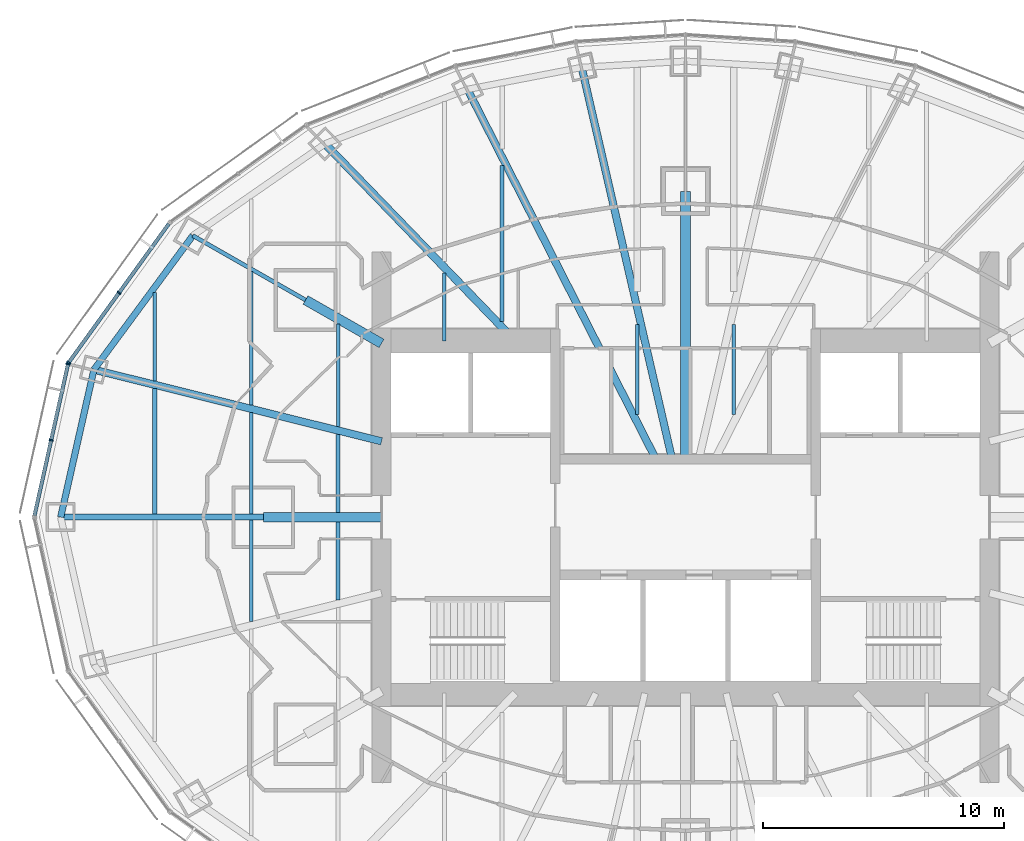
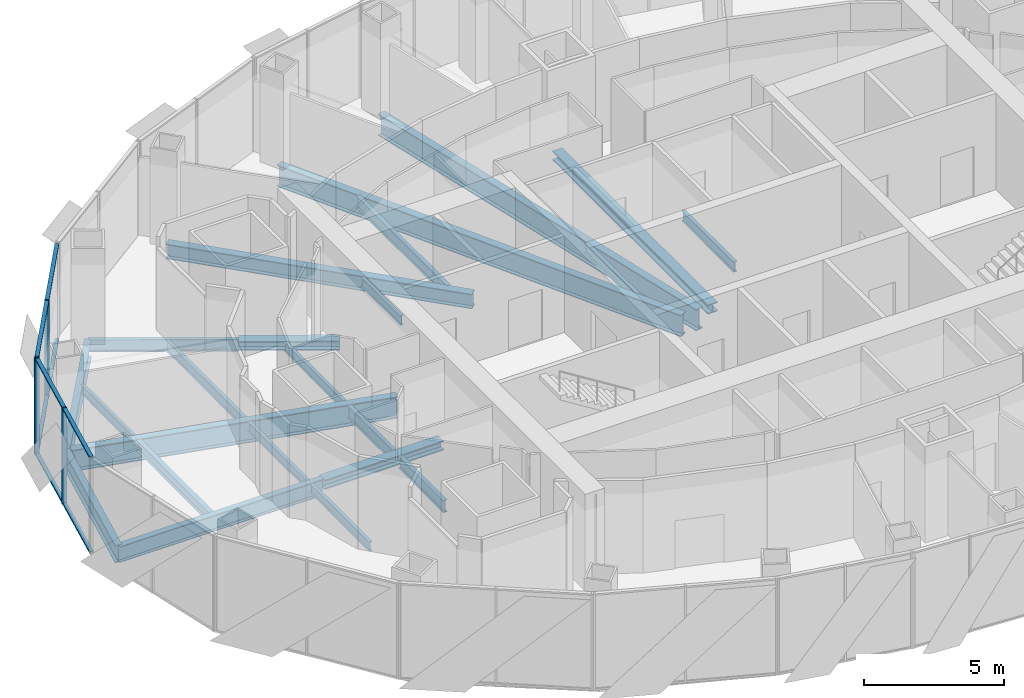
# One storey, part 4 of 19: 23 beams, 12 members, 2 elements without a shape of their own.
"""IFC4 building model written with IfcOpenShell, lengths in metres."""

from ifc_helpers import new_model, si_unit, direction, frame, origin, origin_2d, place, context, subcontext, project, spatial, rectangle, i_section, extrude, material, material_profile, profile_set, type_object, element, aggregate, save


model = new_model("IFC4")

# Units and contexts
model_context = context("Model", 3, precision=1e-05, world=origin(), true_north=direction((0.0, 1.0)))
body_context = subcontext(model_context, "Body", "Model", "MODEL_VIEW")
ifc_project = project(units=[si_unit("LENGTHUNIT", "METRE"), si_unit("AREAUNIT", "SQUARE_METRE"), si_unit("VOLUMEUNIT", "CUBIC_METRE"), si_unit("PLANEANGLEUNIT", "RADIAN"), si_unit("MASSUNIT", "GRAM", prefix="KILO")], contexts=[model_context])

# Site, building, storey
site_placement = place(None, origin())
site = spatial("IfcSite", under=ifc_project, at=site_placement, CompositionType="ELEMENT")
building_placement = place(site_placement, origin())
building = spatial("IfcBuilding", under=site, at=building_placement, Name="Lantaw Convention Tower", CompositionType="ELEMENT")
storey_placement = place(building_placement, frame((0.0, 0.0, 253.60009765625)))
storey = spatial("IfcBuildingStorey", under=building, at=storey_placement, Name="L59", CompositionType="ELEMENT", Elevation=253.60009765625)

# Beams
ifc_material_1 = material(Name="Steel ASTM A992", Category="steel")
ifc_material_profile_1 = material_profile(ifc_material_1, i_section(OverallWidth=0.2666015625, OverallDepth=0.76953125, WebThickness=0.015625, FlangeThickness=0.025390625, FilletRadius=0.0126953125, at=origin_2d()), Name="W30X132")
ifc_profile_set_1 = profile_set([ifc_material_profile_1], Name="Steel ASTM A992")
beam_type_1 = type_object("IfcBeamType", Name="Beam E W30X132", PredefinedType="SPANDREL", material=ifc_profile_set_1)
beam_1_placement = place(storey_placement, frame((-20.423095703125, 11.67041015625, -0.534912109375), z_axis=(-0.593639188853, -0.804731329984, 0.0), x_axis=(0.804731329984, -0.593639188853, 0.0)))
element("IfcBeam", 1, at=beam_1_placement, inside=storey, type_object=beam_type_1, Name="Edge beam 11", PredefinedType="SPANDREL", context=body_context, shape_type="SweptSolid", body=[
    extrude(i_section(OverallWidth=0.2666015625, OverallDepth=0.76953125, WebThickness=0.015625, FlangeThickness=0.025390625, FilletRadius=0.0126953125, at=origin_2d()), origin(), (0.0, 0.0, 1.0), 6.904541015625),
])
beam_2_placement = place(storey_placement, frame((-24.52197265625, 6.114013671875, -0.534912109375), z_axis=(-0.219857926596, -0.97553190215, 0.0), x_axis=(0.97553190215, -0.219857926596, 0.0)))
element("IfcBeam", 2, at=beam_2_placement, inside=storey, type_object=beam_type_1, Name="Edge beam 12", PredefinedType="SPANDREL", context=body_context, shape_type="SweptSolid", body=[
    extrude(i_section(OverallWidth=0.2666015625, OverallDepth=0.76953125, WebThickness=0.015625, FlangeThickness=0.025390625, FilletRadius=0.0126953125, at=origin_2d()), origin(), (0.0, 0.0, 1.0), 6.267333984375),
])
ifc_material_profile_2 = material_profile(ifc_material_1, i_section(OverallWidth=0.1650390625, OverallDepth=0.52587890625, WebThickness=0.0087890625, FlangeThickness=0.011474609375, FilletRadius=0.0126953125, at=origin_2d()), Name="W21X44")
ifc_profile_set_2 = profile_set([ifc_material_profile_2], Name="Steel ASTM A992")
beam_type_2 = type_object("IfcBeamType", Name="Beam G W21X44", PredefinedType="BEAM", material=ifc_profile_set_2)
beam_3_placement = place(storey_placement, frame((-15.75, 9.0, -0.4130859375), z_axis=(-0.868237559289, 0.496148708192, 0.0), x_axis=(-0.496148708192, -0.868237559289, 0.0)))
element("IfcBeam", 3, at=beam_3_placement, inside=storey, type_object=beam_type_2, Name="Floor girder on ray 11", PredefinedType="BEAM", context=body_context, shape_type="SweptSolid", body=[
    extrude(i_section(OverallWidth=0.1650390625, OverallDepth=0.52587890625, WebThickness=0.0087890625, FlangeThickness=0.011474609375, FilletRadius=0.0126953125, at=origin_2d()), origin(), (0.0, 0.0, 1.0), 5.38232421875),
])
ifc_material_profile_3 = material_profile(ifc_material_1, i_section(OverallWidth=0.32763671875, OverallDepth=0.64013671875, WebThickness=0.01904296875, FlangeThickness=0.033935546875, FilletRadius=0.0126953125, at=origin_2d()), Name="W24X176")
ifc_profile_set_3 = profile_set([ifc_material_profile_3], Name="Steel ASTM A992")
beam_type_3 = type_object("IfcBeamType", Name="Beam G W24X176", PredefinedType="BEAM", material=ifc_profile_set_3)
beam_4_placement = place(storey_placement, frame((-7.049560546875, 7.300048828125, -0.47021484375), z_axis=(-0.694657766726, 0.719340383356, 0.0), x_axis=(-0.719340383356, -0.694657766726, 0.0)))
element("IfcBeam", 4, at=beam_4_placement, inside=storey, type_object=beam_type_3, Name="Floor girder on ray 10", PredefinedType="BEAM", context=body_context, shape_type="SweptSolid", body=[
    extrude(i_section(OverallWidth=0.32763671875, OverallDepth=0.64013671875, WebThickness=0.01904296875, FlangeThickness=0.033935546875, FilletRadius=0.0126953125, at=origin_2d()), origin(), (0.0, 0.0, 1.0), 11.364990234375),
])
ifc_material_profile_4 = material_profile(ifc_material_1, i_section(OverallWidth=0.25390625, OverallDepth=0.700927734375, WebThickness=0.015380859375, FlangeThickness=0.02783203125, FilletRadius=0.01513671875, at=origin_2d()), Name="W27X129")
ifc_profile_set_4 = profile_set([ifc_material_profile_4], Name="Steel ASTM A992")
beam_type_4 = type_object("IfcBeamType", Name="Beam G W27X129", PredefinedType="BEAM", material=ifc_profile_set_4)
beam_5_placement = place(storey_placement, frame((-17.5, 0.0, -0.500732421875), z_axis=(-1.0, 0.0, 0.0), x_axis=(0.0, -1.0, 0.0)))
element("IfcBeam", 5, at=beam_5_placement, inside=storey, type_object=beam_type_4, Name="Floor girder on ray 13", PredefinedType="BEAM", context=body_context, shape_type="SweptSolid", body=[
    extrude(i_section(OverallWidth=0.25390625, OverallDepth=0.700927734375, WebThickness=0.015380859375, FlangeThickness=0.02783203125, FilletRadius=0.01513671875, at=origin_2d()), origin(), (0.0, 0.0, 1.0), 8.39990234375),
])
ifc_material_profile_5 = material_profile(ifc_material_1, i_section(OverallWidth=0.307373046875, OverallDepth=0.9423828125, WebThickness=0.022216796875, FlangeThickness=0.039794921875, FilletRadius=0.0126953125, at=origin_2d()), Name="W36X232")
ifc_profile_set_5 = profile_set([ifc_material_profile_5], Name="Steel ASTM A992")
beam_type_5 = type_object("IfcBeamType", Name="Beam G W36X232", PredefinedType="BEAM", material=ifc_profile_set_5)
beam_6_placement = place(storey_placement, frame((-0.55419921875, 2.39990234375, -0.621337890625), z_axis=(-0.224948287002, 0.974370703672, 0.0), x_axis=(-0.974370703672, -0.224948287002, 0.0)))
element("IfcBeam", 6, at=beam_6_placement, inside=storey, type_object=beam_type_5, Name="Floor girder on ray 8", PredefinedType="BEAM", context=body_context, shape_type="SweptSolid", body=[
    extrude(i_section(OverallWidth=0.307373046875, OverallDepth=0.9423828125, WebThickness=0.022216796875, FlangeThickness=0.039794921875, FilletRadius=0.0126953125, at=origin_2d()), origin(), (0.0, 0.0, 1.0), 16.66943359375),
])
beam_7_placement = place(storey_placement, frame((-1.222900390625, 2.39990234375, -0.621337890625), z_axis=(-0.453988481463, 0.891007552549, 0.0), x_axis=(-0.891007552549, -0.453988481463, 0.0)))
element("IfcBeam", 7, at=beam_7_placement, inside=storey, type_object=beam_type_5, Name="Floor girder on ray 9", PredefinedType="BEAM", context=body_context, shape_type="SweptSolid", body=[
    extrude(i_section(OverallWidth=0.307373046875, OverallDepth=0.9423828125, WebThickness=0.022216796875, FlangeThickness=0.039794921875, FilletRadius=0.0126953125, at=origin_2d()), origin(), (0.0, 0.0, 1.0), 17.20703125),
])
beam_8_placement = place(storey_placement, frame((-12.60009765625, 3.1416015625, -0.621337890625), z_axis=(-0.970296589314, 0.241918434119, 0.0), x_axis=(-0.241918434119, -0.970296589314, 0.0)))
element("IfcBeam", 8, at=beam_8_placement, inside=storey, type_object=beam_type_5, Name="Floor girder on ray 12", PredefinedType="BEAM", context=body_context, shape_type="SweptSolid", body=[
    extrude(i_section(OverallWidth=0.307373046875, OverallDepth=0.9423828125, WebThickness=0.022216796875, FlangeThickness=0.039794921875, FilletRadius=0.0126953125, at=origin_2d()), origin(), (0.0, 0.0, 1.0), 12.286865234375),
])
ifc_material_profile_6 = material_profile(ifc_material_1, i_section(OverallWidth=0.40380859375, OverallDepth=0.406494140625, WebThickness=0.027099609375, FlangeThickness=0.043701171875, FilletRadius=0.01513671875, at=origin_2d()), Name="W14X233")
ifc_profile_set_6 = profile_set([ifc_material_profile_6], Name="Steel ASTM A992")
beam_type_6 = type_object("IfcBeamType", Name="Beam GM W14X233", PredefinedType="BEAM", material=ifc_profile_set_6)
beam_9_placement = place(storey_placement, frame((0.0, 2.39990234375, -0.353271484375), z_axis=(0.0, 1.0, 0.0), x_axis=(-1.0, 0.0, 0.0)))
element("IfcBeam", 9, at=beam_9_placement, inside=storey, type_object=beam_type_6, Name="Core link beam on ray 7", PredefinedType="BEAM", context=body_context, shape_type="SweptSolid", body=[
    extrude(i_section(OverallWidth=0.40380859375, OverallDepth=0.406494140625, WebThickness=0.027099609375, FlangeThickness=0.043701171875, FilletRadius=0.01513671875, at=origin_2d()), origin(), (0.0, 0.0, 1.0), 11.10009765625),
])
beam_10_placement = place(storey_placement, frame((-12.60009765625, 7.199951171875, -0.353271484375), z_axis=(-0.868230718294, 0.496160679428, 0.0), x_axis=(-0.496160679428, -0.868230718294, 0.0)))
element("IfcBeam", 10, at=beam_10_placement, inside=storey, type_object=beam_type_6, Name="Core link beam on ray 11", PredefinedType="BEAM", context=body_context, shape_type="SweptSolid", body=[
    extrude(i_section(OverallWidth=0.40380859375, OverallDepth=0.406494140625, WebThickness=0.027099609375, FlangeThickness=0.043701171875, FilletRadius=0.01513671875, at=origin_2d()), origin(), (0.0, 0.0, 1.0), 3.6279296875),
])
beam_11_placement = place(storey_placement, frame((-12.60009765625, 0.0, -0.353271484375), z_axis=(-1.0, 0.0, 0.0), x_axis=(0.0, -1.0, 0.0)))
element("IfcBeam", 11, at=beam_11_placement, inside=storey, type_object=beam_type_6, Name="Core link beam on ray 13", PredefinedType="BEAM", context=body_context, shape_type="SweptSolid", body=[
    extrude(i_section(OverallWidth=0.40380859375, OverallDepth=0.406494140625, WebThickness=0.027099609375, FlangeThickness=0.043701171875, FilletRadius=0.01513671875, at=origin_2d()), origin(), (0.0, 0.0, 1.0), 4.89990234375),
])
ifc_material_profile_7 = material_profile(ifc_material_1, i_section(OverallWidth=0.140380859375, OverallDepth=0.40380859375, WebThickness=0.007080078125, FlangeThickness=0.01123046875, FilletRadius=0.01025390625, at=origin_2d()), Name="W16X31")
ifc_profile_set_7 = profile_set([ifc_material_profile_7], Name="Steel ASTM A992")
beam_type_7 = type_object("IfcBeamType", Name="Beam J W16X31", PredefinedType="JOIST", material=ifc_profile_set_7)
beam_12_placement = place(storey_placement, frame((-22.0, 5.6435546875, -0.35205078125), z_axis=(0.0, 1.0, 0.0), x_axis=(-1.0, 0.0, 0.0)))
element("IfcBeam", 12, at=beam_12_placement, inside=storey, type_object=beam_type_7, Name="Floor joist", PredefinedType="JOIST", context=body_context, shape_type="SweptSolid", body=[
    extrude(i_section(OverallWidth=0.140380859375, OverallDepth=0.40380859375, WebThickness=0.007080078125, FlangeThickness=0.01123046875, FilletRadius=0.01025390625, at=origin_2d()), origin(), (0.0, 0.0, 1.0), 3.66455078125),
])
for number, where, z_axis, x_axis, name in (
    (13, (-18.0, -4.32958984375, -0.35205078125), (0.0, 1.0, 0.0), (-1.0, 0.0, 0.0), "Floor joist"),
    (14, (-18.0, 0.126953125, -0.35205078125), (0.0, 1.0, 0.0), (-1.0, 0.0, 0.0), "Floor joist"),
):
    element("IfcBeam", number, at=place(storey_placement, frame(where, z_axis=z_axis, x_axis=x_axis)), inside=storey, type_object=beam_type_7, Name=name, PredefinedType="JOIST", context=body_context, shape_type="SweptSolid", body=[
        extrude(i_section(OverallWidth=0.140380859375, OverallDepth=0.40380859375, WebThickness=0.007080078125, FlangeThickness=0.01123046875, FilletRadius=0.01025390625, at=origin_2d()), origin(), (0.0, 0.0, 1.0), 4.20263671875),
    ])
beam_13_placement = place(storey_placement, frame((-14.39990234375, 3.748779296875, -0.35205078125), z_axis=(0.0, 1.0, 0.0), x_axis=(-1.0, 0.0, 0.0)))
element("IfcBeam", 15, at=beam_13_placement, inside=storey, type_object=beam_type_7, Name="Floor joist", PredefinedType="JOIST", context=body_context, shape_type="SweptSolid", body=[
    extrude(i_section(OverallWidth=0.140380859375, OverallDepth=0.40380859375, WebThickness=0.007080078125, FlangeThickness=0.01123046875, FilletRadius=0.01025390625, at=origin_2d()), origin(), (0.0, 0.0, 1.0), 4.247314453125),
])
beam_14_placement = place(storey_placement, frame((-10.0, 7.300048828125, -0.35205078125), z_axis=(0.0, 1.0, 0.0), x_axis=(-1.0, 0.0, 0.0)))
element("IfcBeam", 16, at=beam_14_placement, inside=storey, type_object=beam_type_7, Name="Floor joist", PredefinedType="JOIST", context=body_context, shape_type="SweptSolid", body=[
    extrude(i_section(OverallWidth=0.140380859375, OverallDepth=0.40380859375, WebThickness=0.007080078125, FlangeThickness=0.01123046875, FilletRadius=0.01025390625, at=origin_2d()), origin(), (0.0, 0.0, 1.0), 2.8193359375),
])
ifc_material_profile_8 = material_profile(ifc_material_1, i_section(OverallWidth=0.15234375, OverallDepth=0.449462890625, WebThickness=0.007568359375, FlangeThickness=0.0107421875, FilletRadius=0.01025390625, at=origin_2d()), Name="W18X35")
ifc_profile_set_8 = profile_set([ifc_material_profile_8], Name="Steel ASTM A992")
beam_type_8 = type_object("IfcBeamType", Name="Beam J W18X35", PredefinedType="JOIST", material=ifc_profile_set_8)
beam_15_placement = place(storey_placement, frame((-18.0, 4.646240234375, -0.375), z_axis=(0.0, 1.0, 0.0), x_axis=(-1.0, 0.0, 0.0)))
element("IfcBeam", 17, at=beam_15_placement, inside=storey, type_object=beam_type_8, Name="Floor joist", PredefinedType="JOIST", context=body_context, shape_type="SweptSolid", body=[
    extrude(i_section(OverallWidth=0.15234375, OverallDepth=0.449462890625, WebThickness=0.007568359375, FlangeThickness=0.0107421875, FilletRadius=0.01025390625, at=origin_2d()), origin(), (0.0, 0.0, 1.0), 5.54443359375),
])
for number, where, z_axis, x_axis, name in (
    (18, (-2.0, 4.263671875, -0.375), (0.0, 1.0, 0.0), (-1.0, 0.0, 0.0), "Floor joist"),
    (19, (2.0, 4.263671875, -0.375), (0.0, 1.0, 0.0), (-1.0, 0.0, 0.0), "Floor joist"),
):
    element("IfcBeam", number, at=place(storey_placement, frame(where, z_axis=z_axis, x_axis=x_axis)), inside=storey, type_object=beam_type_8, Name=name, PredefinedType="JOIST", context=body_context, shape_type="SweptSolid", body=[
        extrude(i_section(OverallWidth=0.15234375, OverallDepth=0.449462890625, WebThickness=0.007568359375, FlangeThickness=0.0107421875, FilletRadius=0.01025390625, at=origin_2d()), origin(), (0.0, 0.0, 1.0), 3.716064453125),
    ])
ifc_material_profile_9 = material_profile(ifc_material_1, i_section(OverallWidth=0.1904296875, OverallDepth=0.457275390625, WebThickness=0.009033203125, FlangeThickness=0.014404296875, FilletRadius=0.01025390625, at=origin_2d()), Name="W18X50")
ifc_profile_set_9 = profile_set([ifc_material_profile_9], Name="Steel ASTM A992")
beam_type_9 = type_object("IfcBeamType", Name="Beam J W18X50", PredefinedType="JOIST", material=ifc_profile_set_9)
beam_16_placement = place(storey_placement, frame((-22.0, 0.126953125, -0.378662109375), z_axis=(0.0, 1.0, 0.0), x_axis=(-1.0, 0.0, 0.0)))
element("IfcBeam", 20, at=beam_16_placement, inside=storey, type_object=beam_type_9, Name="Floor joist", PredefinedType="JOIST", context=body_context, shape_type="SweptSolid", body=[
    extrude(i_section(OverallWidth=0.1904296875, OverallDepth=0.457275390625, WebThickness=0.009033203125, FlangeThickness=0.014404296875, FilletRadius=0.01025390625, at=origin_2d()), origin(), (0.0, 0.0, 1.0), 5.199951171875),
])
ifc_material_profile_10 = material_profile(ifc_material_1, i_section(OverallWidth=0.1650390625, OverallDepth=0.52587890625, WebThickness=0.0087890625, FlangeThickness=0.011474609375, FilletRadius=0.0126953125, at=origin_2d()), Name="W21X44")
ifc_profile_set_10 = profile_set([ifc_material_profile_10], Name="Steel ASTM A992")
beam_type_10 = type_object("IfcBeamType", Name="Beam J W21X44", PredefinedType="JOIST", material=ifc_profile_set_10)
for number, where, z_axis, x_axis, name in (
    (21, (-14.39990234375, -3.431884765625, -0.4130859375), (0.0, 1.0, 0.0), (-1.0, 0.0, 0.0), "Floor joist"),
    (22, (-14.39990234375, 0.201904296875, -0.4130859375), (0.0, 1.0, 0.0), (-1.0, 0.0, 0.0), "Floor joist"),
):
    element("IfcBeam", number, at=place(storey_placement, frame(where, z_axis=z_axis, x_axis=x_axis)), inside=storey, type_object=beam_type_10, Name=name, PredefinedType="JOIST", context=body_context, shape_type="SweptSolid", body=[
        extrude(i_section(OverallWidth=0.1650390625, OverallDepth=0.52587890625, WebThickness=0.0087890625, FlangeThickness=0.011474609375, FilletRadius=0.0126953125, at=origin_2d()), origin(), (0.0, 0.0, 1.0), 3.22998046875),
    ])
beam_17_placement = place(storey_placement, frame((-7.60009765625, 8.10595703125, -0.4130859375), z_axis=(0.0, 1.0, 0.0), x_axis=(-1.0, 0.0, 0.0)))
element("IfcBeam", 23, at=beam_17_placement, inside=storey, type_object=beam_type_10, Name="Floor joist", PredefinedType="JOIST", context=body_context, shape_type="SweptSolid", body=[
    extrude(i_section(OverallWidth=0.1650390625, OverallDepth=0.52587890625, WebThickness=0.0087890625, FlangeThickness=0.011474609375, FilletRadius=0.0126953125, at=origin_2d()), origin(), (0.0, 0.0, 1.0), 6.471435546875),
])

# Curtain wall, members
ifc_material_2 = material(Name="Aluminium framed curtain wall", Category="aluminium")
curtain_wall_type = type_object("IfcCurtainWallType", Name="Office curtain wall high rise, pale aluminium", PredefinedType="USERDEFINED", material=ifc_material_2)
curtain_wall_1_placement = place(storey_placement, origin())
curtain_wall_1 = element("IfcCurtainWall", 24, at=curtain_wall_1_placement, inside=storey, type_object=curtain_wall_type, Name="Office curtain wall high rise, pale aluminium L59", ObjectType="UNITISED CURTAIN WALL", PredefinedType="USERDEFINED")
ifc_material_3 = material(Name="Aluminium 6063-T6", Category="aluminium")
ifc_material_profile_11 = material_profile(ifc_material_3, rectangle(XDim=0.179931640625, YDim=0.06494140625, at=origin_2d()), Name="CW-O2 mullion 65x180")
ifc_profile_set_11 = profile_set([ifc_material_profile_11], Name="Aluminium 6063-T6")
member_type_1 = type_object("IfcMemberType", Name="CW-O2 mullion 65x180", PredefinedType="MULLION", material=ifc_profile_set_11)
member_1_placement = place(storey_placement, frame((-23.483642578125, 9.298095703125, -0.150146484375), z_axis=(0.0, 0.0, 1.0), x_axis=(0.810919559405, -0.585157643865, 0.0)))
member_1 = element("IfcMember", 25, at=member_1_placement, type_object=member_type_1, Name="CW-O2 mullion 2", PredefinedType="MULLION", context=body_context, shape_type="SweptSolid", body=[
    extrude(rectangle(XDim=0.179931640625, YDim=0.06494140625, at=origin_2d()), origin(), (0.0, 0.0, 1.0), 4.199951171875),
])
member_2_placement = place(storey_placement, frame((-25.5703125, 6.406494140625, -0.150146484375), z_axis=(0.0, 0.0, 1.0), x_axis=(0.810919559405, -0.585157643865, 0.0)))
member_2 = element("IfcMember", 26, at=member_2_placement, type_object=member_type_1, Name="CW-O2 mullion 3", PredefinedType="MULLION", context=body_context, shape_type="SweptSolid", body=[
    extrude(rectangle(XDim=0.179931640625, YDim=0.06494140625, at=origin_2d()), origin(), (0.0, 0.0, 1.0), 4.199951171875),
])

curtain_wall_2_placement = place(storey_placement, origin())
curtain_wall_2 = element("IfcCurtainWall", 27, at=curtain_wall_2_placement, inside=storey, type_object=curtain_wall_type, Name="Office curtain wall high rise, pale aluminium L59", ObjectType="UNITISED CURTAIN WALL", PredefinedType="USERDEFINED")
member_3_placement = place(storey_placement, frame((-25.596435546875, 6.348388671875, -0.150146484375), z_axis=(0.0, 0.0, 1.0), x_axis=(0.976417396437, -0.215891333626, 0.0)))
member_3 = element("IfcMember", 28, at=member_3_placement, type_object=member_type_1, Name="CW-O2 mullion 1", PredefinedType="MULLION", context=body_context, shape_type="SweptSolid", body=[
    extrude(rectangle(XDim=0.179931640625, YDim=0.06494140625, at=origin_2d()), origin(), (0.0, 0.0, 1.0), 4.199951171875),
])
member_4_placement = place(storey_placement, frame((-26.294677734375, 3.190185546875, -0.150146484375), z_axis=(0.0, 0.0, 1.0), x_axis=(0.976417396437, -0.215891333626, 0.0)))
member_4 = element("IfcMember", 29, at=member_4_placement, type_object=member_type_1, Name="CW-O2 mullion 2", PredefinedType="MULLION", context=body_context, shape_type="SweptSolid", body=[
    extrude(rectangle(XDim=0.179931640625, YDim=0.06494140625, at=origin_2d()), origin(), (0.0, 0.0, 1.0), 4.199951171875),
])

# Member
ifc_material_profile_12 = material_profile(ifc_material_3, rectangle(XDim=0.14990234375, YDim=0.06494140625, at=origin_2d()), Name="CW-O2 transom 65x150")
ifc_profile_set_12 = profile_set([ifc_material_profile_12], Name="Aluminium 6063-T6")
member_type_2 = type_object("IfcMemberType", Name="CW-O2 transom 65x150", PredefinedType="USERDEFINED", material=ifc_profile_set_12)
member_5_placement = place(storey_placement, frame((-21.416259765625, 12.163330078125, -0.11767578125), z_axis=(-0.585123825205, -0.810943961798, 0.0), x_axis=(0.810943961798, -0.585123825205, 0.0)))
member_5 = element("IfcMember", 30, at=member_5_placement, type_object=member_type_2, Name="CW-O2 transom 1.1", ObjectType="TRANSOM", PredefinedType="USERDEFINED", context=body_context, shape_type="SweptSolid", body=[
    extrude(rectangle(XDim=0.14990234375, YDim=0.06494140625, at=origin_2d()), origin(), (0.0, 0.0, 1.0), 3.500732421875),
])

member_6_placement = place(storey_placement, frame((-21.416259765625, 12.163330078125, 4.017333984375), z_axis=(-0.585123825205, -0.810943961798, 0.0), x_axis=(0.810943961798, -0.585123825205, 0.0)))
member_6 = element("IfcMember", 31, at=member_6_placement, type_object=member_type_2, Name="CW-O2 transom 1.2", ObjectType="TRANSOM", PredefinedType="USERDEFINED", context=body_context, shape_type="SweptSolid", body=[
    extrude(rectangle(XDim=0.14990234375, YDim=0.06494140625, at=origin_2d()), origin(), (0.0, 0.0, 1.0), 3.500732421875),
])

member_7_placement = place(storey_placement, frame((-23.502685546875, 9.271728515625, -0.11767578125), z_axis=(-0.585169685931, -0.810910869743, 0.0), x_axis=(0.810910869743, -0.585169685931, 0.0)))
member_7 = element("IfcMember", 32, at=member_7_placement, type_object=member_type_2, Name="CW-O2 transom 2.1", ObjectType="TRANSOM", PredefinedType="USERDEFINED", context=body_context, shape_type="SweptSolid", body=[
    extrude(rectangle(XDim=0.14990234375, YDim=0.06494140625, at=origin_2d()), origin(), (0.0, 0.0, 1.0), 3.500732421875),
])

member_8_placement = place(storey_placement, frame((-23.502685546875, 9.271728515625, 4.017333984375), z_axis=(-0.585169685931, -0.810910869743, 0.0), x_axis=(0.810910869743, -0.585169685931, 0.0)))
member_8 = element("IfcMember", 33, at=member_8_placement, type_object=member_type_2, Name="CW-O2 transom 2.2", ObjectType="TRANSOM", PredefinedType="USERDEFINED", context=body_context, shape_type="SweptSolid", body=[
    extrude(rectangle(XDim=0.14990234375, YDim=0.06494140625, at=origin_2d()), origin(), (0.0, 0.0, 1.0), 3.500732421875),
])

aggregate(curtain_wall_1, [member_1, member_2, member_5, member_6, member_7, member_8])

member_9_placement = place(storey_placement, frame((-25.603271484375, 6.316650390625, -0.11767578125), z_axis=(-0.215894607042, -0.976416672661, 0.0), x_axis=(0.976416672661, -0.215894607042, 0.0)))
member_9 = element("IfcMember", 34, at=member_9_placement, type_object=member_type_2, Name="CW-O2 transom 1.1", ObjectType="TRANSOM", PredefinedType="USERDEFINED", context=body_context, shape_type="SweptSolid", body=[
    extrude(rectangle(XDim=0.14990234375, YDim=0.06494140625, at=origin_2d()), origin(), (0.0, 0.0, 1.0), 3.169677734375),
])

member_10_placement = place(storey_placement, frame((-25.603271484375, 6.316650390625, 4.017333984375), z_axis=(-0.215894607042, -0.976416672661, 0.0), x_axis=(0.976416672661, -0.215894607042, 0.0)))
member_10 = element("IfcMember", 35, at=member_10_placement, type_object=member_type_2, Name="CW-O2 transom 1.2", ObjectType="TRANSOM", PredefinedType="USERDEFINED", context=body_context, shape_type="SweptSolid", body=[
    extrude(rectangle(XDim=0.14990234375, YDim=0.06494140625, at=origin_2d()), origin(), (0.0, 0.0, 1.0), 3.169677734375),
])

member_11_placement = place(storey_placement, frame((-26.3017578125, 3.158447265625, -0.11767578125), z_axis=(-0.215894607042, -0.976416672661, 0.0), x_axis=(0.976416672661, -0.215894607042, 0.0)))
member_11 = element("IfcMember", 36, at=member_11_placement, type_object=member_type_2, Name="CW-O2 transom 2.1", ObjectType="TRANSOM", PredefinedType="USERDEFINED", context=body_context, shape_type="SweptSolid", body=[
    extrude(rectangle(XDim=0.14990234375, YDim=0.06494140625, at=origin_2d()), origin(), (0.0, 0.0, 1.0), 3.169677734375),
])

member_12_placement = place(storey_placement, frame((-26.3017578125, 3.158447265625, 4.017333984375), z_axis=(-0.215894607042, -0.976416672661, 0.0), x_axis=(0.976416672661, -0.215894607042, 0.0)))
member_12 = element("IfcMember", 37, at=member_12_placement, type_object=member_type_2, Name="CW-O2 transom 2.2", ObjectType="TRANSOM", PredefinedType="USERDEFINED", context=body_context, shape_type="SweptSolid", body=[
    extrude(rectangle(XDim=0.14990234375, YDim=0.06494140625, at=origin_2d()), origin(), (0.0, 0.0, 1.0), 3.169677734375),
])

aggregate(curtain_wall_2, [member_3, member_4, member_9, member_10, member_11, member_12])

save(model, "model.ifc")
